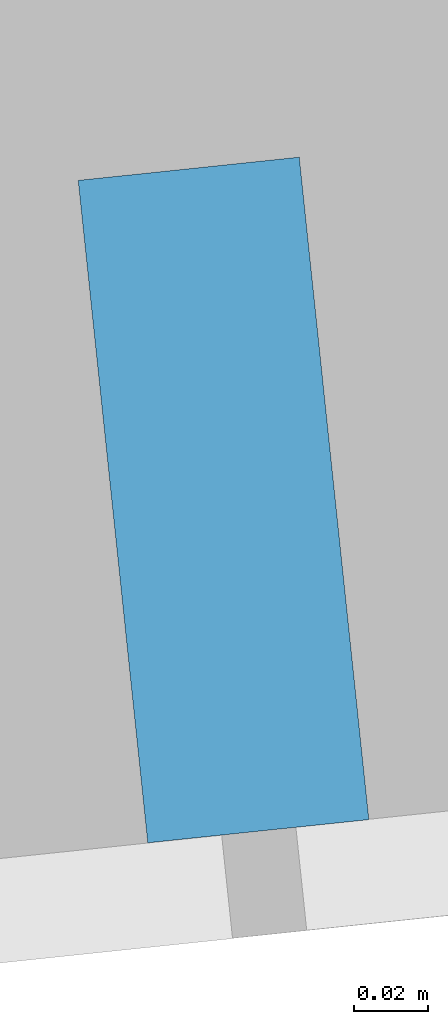
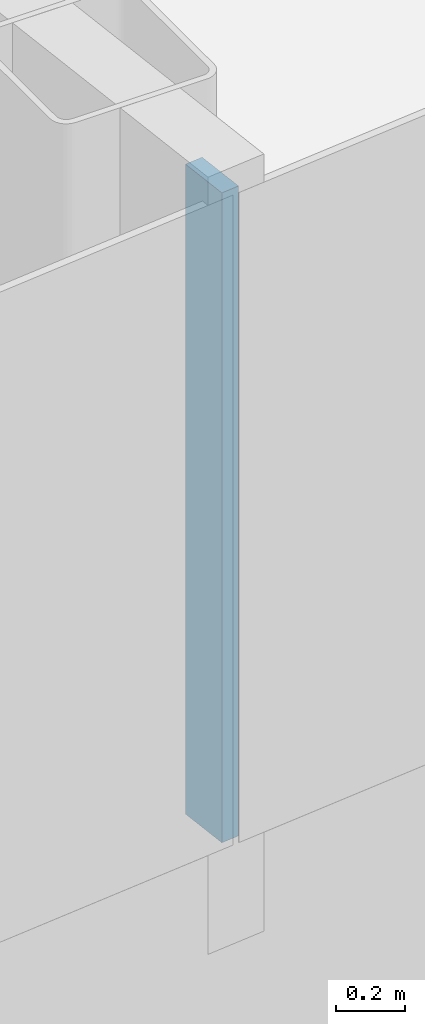
# One storey, part 5 of 27: 1 member, 1 element without a shape of its own.
"""IFC4 building model written with IfcOpenShell, lengths in metres."""

from ifc_helpers import new_model, si_unit, direction, frame, origin, origin_2d, place, context, subcontext, project, spatial, rectangle, extrude, material, layer, layer_set, material_profile, profile_set, type_object, element, aggregate, save


model = new_model("IFC4")

# Units and contexts
model_context = context("Model", 3, precision=1e-05, world=origin(), true_north=direction((0.0, 1.0)))
body_context = subcontext(model_context, "Body", "Model", "MODEL_VIEW")
ifc_project = project(units=[si_unit("LENGTHUNIT", "METRE"), si_unit("AREAUNIT", "SQUARE_METRE"), si_unit("VOLUMEUNIT", "CUBIC_METRE"), si_unit("PLANEANGLEUNIT", "RADIAN"), si_unit("MASSUNIT", "GRAM", prefix="KILO")], contexts=[model_context])

# Site, building, storey
site_placement = place(None, origin())
site = spatial("IfcSite", under=ifc_project, at=site_placement, CompositionType="ELEMENT")
building_placement = place(site_placement, origin())
building = spatial("IfcBuilding", under=site, at=building_placement, Name="Hakoniwa Tower and Hamabe Station Hall", CompositionType="ELEMENT")
storey_placement = place(building_placement, frame((0.0, 0.0, 255.0)))
storey = spatial("IfcBuildingStorey", under=building, at=storey_placement, Name="L72", CompositionType="ELEMENT", Elevation=255.0)

# Curtain wall, member
ifc_material_1 = material(Name="Dark low-e laminated glass", Category="glass")
ifc_layer = layer(ifc_material_1, 0.199951171875)
ifc_layer_set = layer_set([ifc_layer], Name="CW-1 UNITISED GUEST")
curtain_wall_type = type_object("IfcCurtainWallType", Name="CW-1 UNITISED GUEST", PredefinedType="NOTDEFINED", material=ifc_layer_set)
curtain_wall_placement = place(storey_placement, origin())
curtain_wall = element("IfcCurtainWall", 1, at=curtain_wall_placement, inside=storey, type_object=curtain_wall_type, Name="CW-1 curtain wall", PredefinedType="NOTDEFINED")
ifc_material_2 = material(Name="Aluminium 6063-T5 black anodised", Category="aluminium")
ifc_material_profile = material_profile(ifc_material_2, rectangle(XDim=0.06005859375, YDim=0.179931640625, at=origin_2d()), Name="CW-1 MULLION 60X180")
ifc_profile_set = profile_set([ifc_material_profile], Name="Aluminium 6063-T5 black anodised")
member_type = type_object("IfcMemberType", Name="CW-1 MULLION 60X180", PredefinedType="MULLION", material=ifc_profile_set)
member_placement = place(storey_placement, frame((1.7958984375, -14.587890625, 0.35009765625), z_axis=(0.0, 0.0, 1.0), x_axis=(0.994521895272, 0.104528464188, 0.0)))
member = element("IfcMember", 2, at=member_placement, type_object=member_type, Name="CW-1 mullion", PredefinedType="MULLION", context=body_context, shape_type="SweptSolid", body=[
    extrude(rectangle(XDim=0.06005859375, YDim=0.179931640625, at=origin_2d()), origin(), (0.0, 0.0, 1.0), 2.2998046875),
])
aggregate(curtain_wall, [member])

save(model, "model.ifc")
